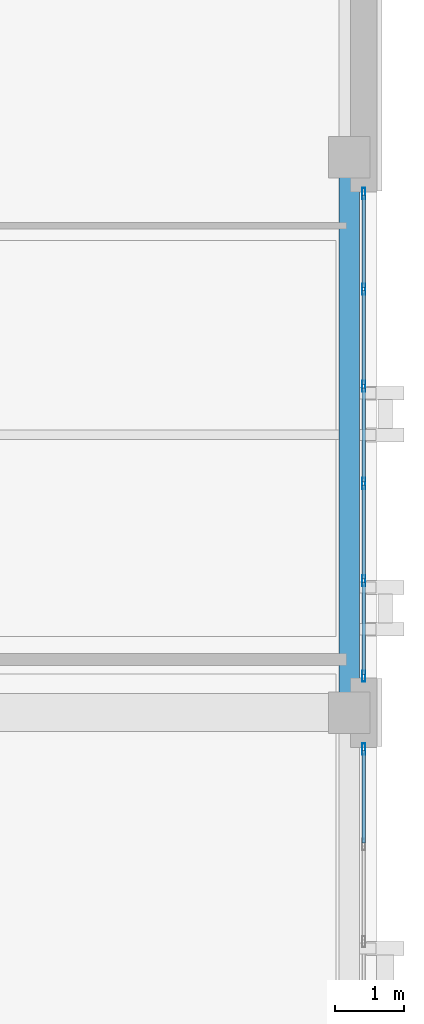
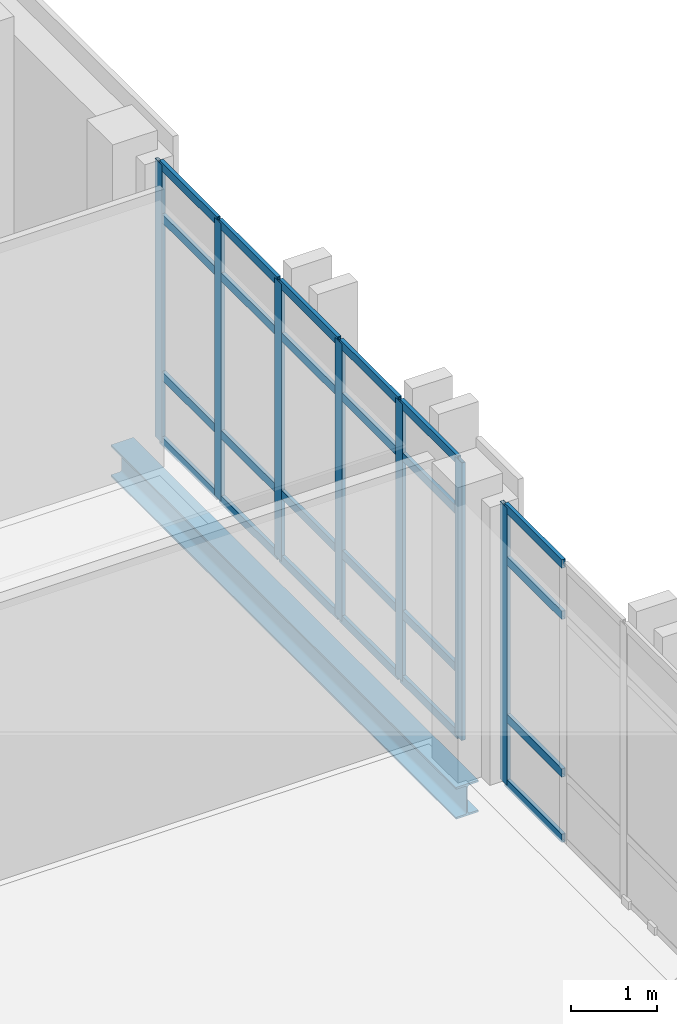
# One storey, part 26 of 90: 31 members, 1 beam, 2 elements without a shape of their own.
"""IFC4 building model written with IfcOpenShell, lengths in metres."""

from ifc_helpers import new_model, si_unit, direction, frame, origin, origin_2d, place, context, subcontext, project, spatial, hollow_rectangle, i_section, extrude, material, layer, layer_set, material_profile, profile_set, type_object, element, aggregate, save


model = new_model("IFC4")

# Units and contexts
model_context = context("Model", 3, precision=1e-05, world=origin(), true_north=direction((0.0, 1.0)))
body_context = subcontext(model_context, "Body", "Model", "MODEL_VIEW")
ifc_project = project(units=[si_unit("LENGTHUNIT", "METRE"), si_unit("AREAUNIT", "SQUARE_METRE"), si_unit("VOLUMEUNIT", "CUBIC_METRE"), si_unit("PLANEANGLEUNIT", "RADIAN"), si_unit("MASSUNIT", "GRAM", prefix="KILO")], contexts=[model_context])

# Site, building, storey
site_placement = place(None, origin())
site = spatial("IfcSite", under=ifc_project, at=site_placement, CompositionType="ELEMENT")
building_placement = place(site_placement, origin())
building = spatial("IfcBuilding", under=site, at=building_placement, Name="Qalavern Law Courts", CompositionType="ELEMENT")
storey_placement = place(building_placement, frame((0.0, 0.0, 22.800048828125)))
storey = spatial("IfcBuildingStorey", under=building, at=storey_placement, Name="L05", CompositionType="ELEMENT", Elevation=22.800048828125)

# Curtain wall, member
ifc_material_1 = material(Name="Anodised aluminium and insulated glazing", Category="aluminium")
ifc_layer = layer(ifc_material_1, 0.159912109375)
ifc_layer_set = layer_set([ifc_layer], Name="Anodised aluminium and insulated glazing")
curtain_wall_type = type_object("IfcCurtainWallType", Name="ENV-CW-CHAMB", PredefinedType="USERDEFINED", material=ifc_layer_set)
curtain_wall_1_placement = place(storey_placement, origin())
curtain_wall_1 = element("IfcCurtainWall", 1, at=curtain_wall_1_placement, inside=storey, type_object=curtain_wall_type, Name="V4 unitised curtain wall L05 east 2", ObjectType="UNITISED CURTAIN WALL", PredefinedType="USERDEFINED")
ifc_material_2 = material(Name="Anodised aluminium", Category="aluminium")
ifc_material_profile_1 = material_profile(ifc_material_2, hollow_rectangle(XDim=0.048095703125, YDim=0.159912109375, WallThickness=0.00390625, at=origin_2d()), Name="ALU MULLION 48x160")
ifc_profile_set_1 = profile_set([ifc_material_profile_1], Name="Anodised aluminium")
member_type_1 = type_object("IfcMemberType", Name="ENV-CWM-48x160", PredefinedType="MULLION", material=ifc_profile_set_1)
member_1_placement = place(storey_placement, frame((106.607421875, 56.8759765625, 0.0), z_axis=(0.0, 0.0, 1.0), x_axis=(-1.0, 0.0, 0.0)))
member_1 = element("IfcMember", 2, at=member_1_placement, type_object=member_type_1, Name="CW-04 mullion 6", PredefinedType="MULLION", context=body_context, shape_type="SweptSolid", body=[
    extrude(hollow_rectangle(XDim=0.048095703125, YDim=0.159912109375, WallThickness=0.00390625, at=origin_2d()), origin(), (0.0, 0.0, 1.0), 3.929931640625),
])

# Curtain wall, members
curtain_wall_2_placement = place(storey_placement, origin())
curtain_wall_2 = element("IfcCurtainWall", 3, at=curtain_wall_2_placement, inside=storey, type_object=curtain_wall_type, Name="V4 unitised curtain wall L05 east 3", ObjectType="UNITISED CURTAIN WALL", PredefinedType="USERDEFINED")
member_2_placement = place(storey_placement, frame((106.607421875, 57.924072265625, 0.0), z_axis=(0.0, 0.0, 1.0), x_axis=(-1.0, 0.0, 0.0)))
member_2 = element("IfcMember", 4, at=member_2_placement, type_object=member_type_1, Name="CW-04 mullion 1", PredefinedType="MULLION", context=body_context, shape_type="SweptSolid", body=[
    extrude(hollow_rectangle(XDim=0.048095703125, YDim=0.159912109375, WallThickness=0.00390625, at=origin_2d()), origin(), (0.0, 0.0, 1.0), 3.929931640625),
])
member_3_placement = place(storey_placement, frame((106.607421875, 59.300048828125, 0.0), z_axis=(0.0, 0.0, 1.0), x_axis=(-1.0, 0.0, 0.0)))
member_3 = element("IfcMember", 5, at=member_3_placement, type_object=member_type_1, Name="CW-04 mullion 2", PredefinedType="MULLION", context=body_context, shape_type="SweptSolid", body=[
    extrude(hollow_rectangle(XDim=0.048095703125, YDim=0.159912109375, WallThickness=0.00390625, at=origin_2d()), origin(), (0.0, 0.0, 1.0), 3.929931640625),
])
member_4_placement = place(storey_placement, frame((106.607421875, 60.699951171875, 0.0), z_axis=(0.0, 0.0, 1.0), x_axis=(-1.0, 0.0, 0.0)))
member_4 = element("IfcMember", 6, at=member_4_placement, type_object=member_type_1, Name="CW-04 mullion 3", PredefinedType="MULLION", context=body_context, shape_type="SweptSolid", body=[
    extrude(hollow_rectangle(XDim=0.048095703125, YDim=0.159912109375, WallThickness=0.00390625, at=origin_2d()), origin(), (0.0, 0.0, 1.0), 3.929931640625),
])
member_5_placement = place(storey_placement, frame((106.607421875, 62.10009765625, 0.0), z_axis=(0.0, 0.0, 1.0), x_axis=(-1.0, 0.0, 0.0)))
member_5 = element("IfcMember", 7, at=member_5_placement, type_object=member_type_1, Name="CW-04 mullion 4", PredefinedType="MULLION", context=body_context, shape_type="SweptSolid", body=[
    extrude(hollow_rectangle(XDim=0.048095703125, YDim=0.159912109375, WallThickness=0.00390625, at=origin_2d()), origin(), (0.0, 0.0, 1.0), 3.929931640625),
])
member_6_placement = place(storey_placement, frame((106.607421875, 63.5, 0.0), z_axis=(0.0, 0.0, 1.0), x_axis=(-1.0, 0.0, 0.0)))
member_6 = element("IfcMember", 8, at=member_6_placement, type_object=member_type_1, Name="CW-04 mullion 5", PredefinedType="MULLION", context=body_context, shape_type="SweptSolid", body=[
    extrude(hollow_rectangle(XDim=0.048095703125, YDim=0.159912109375, WallThickness=0.00390625, at=origin_2d()), origin(), (0.0, 0.0, 1.0), 3.929931640625),
])
member_7_placement = place(storey_placement, frame((106.607421875, 64.8759765625, 0.0), z_axis=(0.0, 0.0, 1.0), x_axis=(-1.0, 0.0, 0.0)))
member_7 = element("IfcMember", 9, at=member_7_placement, type_object=member_type_1, Name="CW-04 mullion 6", PredefinedType="MULLION", context=body_context, shape_type="SweptSolid", body=[
    extrude(hollow_rectangle(XDim=0.048095703125, YDim=0.159912109375, WallThickness=0.00390625, at=origin_2d()), origin(), (0.0, 0.0, 1.0), 3.929931640625),
])

# Member
ifc_material_profile_2 = material_profile(ifc_material_2, hollow_rectangle(XDim=0.048095703125, YDim=0.1201171875, WallThickness=0.00390625, at=origin_2d()), Name="ALU TRANSOM 48x120")
ifc_profile_set_2 = profile_set([ifc_material_profile_2], Name="Anodised aluminium")
member_type_2 = type_object("IfcMemberType", Name="ENV-CWT-48x120", PredefinedType="USERDEFINED", material=ifc_profile_set_2)
member_8_placement = place(storey_placement, frame((106.607421875, 55.52392578125, 0.02392578125), z_axis=(0.0, 1.0, 0.0), x_axis=(-1.0, 0.0, 0.0)))
member_8 = element("IfcMember", 10, at=member_8_placement, type_object=member_type_2, Name="CW-04 transom 5.1", ObjectType="TRANSOM", PredefinedType="USERDEFINED", context=body_context, shape_type="SweptSolid", body=[
    extrude(hollow_rectangle(XDim=0.048095703125, YDim=0.1201171875, WallThickness=0.00390625, at=origin_2d()), origin(), (0.0, 0.0, 1.0), 1.328125),
])

member_9_placement = place(storey_placement, frame((106.607421875, 55.52392578125, 0.949951171875), z_axis=(0.0, 1.0, 0.0), x_axis=(-1.0, 0.0, 0.0)))
member_9 = element("IfcMember", 11, at=member_9_placement, type_object=member_type_2, Name="CW-04 transom 5.2", ObjectType="TRANSOM", PredefinedType="USERDEFINED", context=body_context, shape_type="SweptSolid", body=[
    extrude(hollow_rectangle(XDim=0.048095703125, YDim=0.1201171875, WallThickness=0.00390625, at=origin_2d()), origin(), (0.0, 0.0, 1.0), 1.328125),
])

member_10_placement = place(storey_placement, frame((106.607421875, 55.52392578125, 3.179931640625), z_axis=(0.0, 1.0, 0.0), x_axis=(-1.0, 0.0, 0.0)))
member_10 = element("IfcMember", 12, at=member_10_placement, type_object=member_type_2, Name="CW-04 transom 5.3", ObjectType="TRANSOM", PredefinedType="USERDEFINED", context=body_context, shape_type="SweptSolid", body=[
    extrude(hollow_rectangle(XDim=0.048095703125, YDim=0.1201171875, WallThickness=0.00390625, at=origin_2d()), origin(), (0.0, 0.0, 1.0), 1.328125),
])

member_11_placement = place(storey_placement, frame((106.607421875, 55.52392578125, 3.906005859375), z_axis=(0.0, 1.0, 0.0), x_axis=(-1.0, 0.0, 0.0)))
member_11 = element("IfcMember", 13, at=member_11_placement, type_object=member_type_2, Name="CW-04 transom 5.4", ObjectType="TRANSOM", PredefinedType="USERDEFINED", context=body_context, shape_type="SweptSolid", body=[
    extrude(hollow_rectangle(XDim=0.048095703125, YDim=0.1201171875, WallThickness=0.00390625, at=origin_2d()), origin(), (0.0, 0.0, 1.0), 1.328125),
])

aggregate(curtain_wall_1, [member_1, member_8, member_9, member_10, member_11])

member_12_placement = place(storey_placement, frame((106.607421875, 57.947998046875, 0.02392578125), z_axis=(0.0, 1.0, 0.0), x_axis=(-1.0, 0.0, 0.0)))
member_12 = element("IfcMember", 14, at=member_12_placement, type_object=member_type_2, Name="CW-04 transom 1.1", ObjectType="TRANSOM", PredefinedType="USERDEFINED", context=body_context, shape_type="SweptSolid", body=[
    extrude(hollow_rectangle(XDim=0.048095703125, YDim=0.1201171875, WallThickness=0.00390625, at=origin_2d()), origin(), (0.0, 0.0, 1.0), 1.327880859375),
])

member_13_placement = place(storey_placement, frame((106.607421875, 57.947998046875, 0.949951171875), z_axis=(0.0, 1.0, 0.0), x_axis=(-1.0, 0.0, 0.0)))
member_13 = element("IfcMember", 15, at=member_13_placement, type_object=member_type_2, Name="CW-04 transom 1.2", ObjectType="TRANSOM", PredefinedType="USERDEFINED", context=body_context, shape_type="SweptSolid", body=[
    extrude(hollow_rectangle(XDim=0.048095703125, YDim=0.1201171875, WallThickness=0.00390625, at=origin_2d()), origin(), (0.0, 0.0, 1.0), 1.327880859375),
])

member_14_placement = place(storey_placement, frame((106.607421875, 57.947998046875, 3.179931640625), z_axis=(0.0, 1.0, 0.0), x_axis=(-1.0, 0.0, 0.0)))
member_14 = element("IfcMember", 16, at=member_14_placement, type_object=member_type_2, Name="CW-04 transom 1.3", ObjectType="TRANSOM", PredefinedType="USERDEFINED", context=body_context, shape_type="SweptSolid", body=[
    extrude(hollow_rectangle(XDim=0.048095703125, YDim=0.1201171875, WallThickness=0.00390625, at=origin_2d()), origin(), (0.0, 0.0, 1.0), 1.327880859375),
])

member_15_placement = place(storey_placement, frame((106.607421875, 57.947998046875, 3.906005859375), z_axis=(0.0, 1.0, 0.0), x_axis=(-1.0, 0.0, 0.0)))
member_15 = element("IfcMember", 17, at=member_15_placement, type_object=member_type_2, Name="CW-04 transom 1.4", ObjectType="TRANSOM", PredefinedType="USERDEFINED", context=body_context, shape_type="SweptSolid", body=[
    extrude(hollow_rectangle(XDim=0.048095703125, YDim=0.1201171875, WallThickness=0.00390625, at=origin_2d()), origin(), (0.0, 0.0, 1.0), 1.327880859375),
])

member_16_placement = place(storey_placement, frame((106.607421875, 59.323974609375, 0.02392578125), z_axis=(0.0, 1.0, 0.0), x_axis=(-1.0, 0.0, 0.0)))
member_16 = element("IfcMember", 18, at=member_16_placement, type_object=member_type_2, Name="CW-04 transom 2.1", ObjectType="TRANSOM", PredefinedType="USERDEFINED", context=body_context, shape_type="SweptSolid", body=[
    extrude(hollow_rectangle(XDim=0.048095703125, YDim=0.1201171875, WallThickness=0.00390625, at=origin_2d()), origin(), (0.0, 0.0, 1.0), 1.35205078125),
])

member_17_placement = place(storey_placement, frame((106.607421875, 59.323974609375, 0.949951171875), z_axis=(0.0, 1.0, 0.0), x_axis=(-1.0, 0.0, 0.0)))
member_17 = element("IfcMember", 19, at=member_17_placement, type_object=member_type_2, Name="CW-04 transom 2.2", ObjectType="TRANSOM", PredefinedType="USERDEFINED", context=body_context, shape_type="SweptSolid", body=[
    extrude(hollow_rectangle(XDim=0.048095703125, YDim=0.1201171875, WallThickness=0.00390625, at=origin_2d()), origin(), (0.0, 0.0, 1.0), 1.35205078125),
])

member_18_placement = place(storey_placement, frame((106.607421875, 59.323974609375, 3.179931640625), z_axis=(0.0, 1.0, 0.0), x_axis=(-1.0, 0.0, 0.0)))
member_18 = element("IfcMember", 20, at=member_18_placement, type_object=member_type_2, Name="CW-04 transom 2.3", ObjectType="TRANSOM", PredefinedType="USERDEFINED", context=body_context, shape_type="SweptSolid", body=[
    extrude(hollow_rectangle(XDim=0.048095703125, YDim=0.1201171875, WallThickness=0.00390625, at=origin_2d()), origin(), (0.0, 0.0, 1.0), 1.35205078125),
])

member_19_placement = place(storey_placement, frame((106.607421875, 59.323974609375, 3.906005859375), z_axis=(0.0, 1.0, 0.0), x_axis=(-1.0, 0.0, 0.0)))
member_19 = element("IfcMember", 21, at=member_19_placement, type_object=member_type_2, Name="CW-04 transom 2.4", ObjectType="TRANSOM", PredefinedType="USERDEFINED", context=body_context, shape_type="SweptSolid", body=[
    extrude(hollow_rectangle(XDim=0.048095703125, YDim=0.1201171875, WallThickness=0.00390625, at=origin_2d()), origin(), (0.0, 0.0, 1.0), 1.35205078125),
])

member_20_placement = place(storey_placement, frame((106.607421875, 60.72412109375, 0.02392578125), z_axis=(0.0, 1.0, 0.0), x_axis=(-1.0, 0.0, 0.0)))
member_20 = element("IfcMember", 22, at=member_20_placement, type_object=member_type_2, Name="CW-04 transom 3.1", ObjectType="TRANSOM", PredefinedType="USERDEFINED", context=body_context, shape_type="SweptSolid", body=[
    extrude(hollow_rectangle(XDim=0.048095703125, YDim=0.1201171875, WallThickness=0.00390625, at=origin_2d()), origin(), (0.0, 0.0, 1.0), 1.351806640625),
])

member_21_placement = place(storey_placement, frame((106.607421875, 60.72412109375, 0.949951171875), z_axis=(0.0, 1.0, 0.0), x_axis=(-1.0, 0.0, 0.0)))
member_21 = element("IfcMember", 23, at=member_21_placement, type_object=member_type_2, Name="CW-04 transom 3.2", ObjectType="TRANSOM", PredefinedType="USERDEFINED", context=body_context, shape_type="SweptSolid", body=[
    extrude(hollow_rectangle(XDim=0.048095703125, YDim=0.1201171875, WallThickness=0.00390625, at=origin_2d()), origin(), (0.0, 0.0, 1.0), 1.351806640625),
])

member_22_placement = place(storey_placement, frame((106.607421875, 60.72412109375, 3.179931640625), z_axis=(0.0, 1.0, 0.0), x_axis=(-1.0, 0.0, 0.0)))
member_22 = element("IfcMember", 24, at=member_22_placement, type_object=member_type_2, Name="CW-04 transom 3.3", ObjectType="TRANSOM", PredefinedType="USERDEFINED", context=body_context, shape_type="SweptSolid", body=[
    extrude(hollow_rectangle(XDim=0.048095703125, YDim=0.1201171875, WallThickness=0.00390625, at=origin_2d()), origin(), (0.0, 0.0, 1.0), 1.351806640625),
])

member_23_placement = place(storey_placement, frame((106.607421875, 60.72412109375, 3.906005859375), z_axis=(0.0, 1.0, 0.0), x_axis=(-1.0, 0.0, 0.0)))
member_23 = element("IfcMember", 25, at=member_23_placement, type_object=member_type_2, Name="CW-04 transom 3.4", ObjectType="TRANSOM", PredefinedType="USERDEFINED", context=body_context, shape_type="SweptSolid", body=[
    extrude(hollow_rectangle(XDim=0.048095703125, YDim=0.1201171875, WallThickness=0.00390625, at=origin_2d()), origin(), (0.0, 0.0, 1.0), 1.351806640625),
])

member_24_placement = place(storey_placement, frame((106.607421875, 62.1240234375, 0.02392578125), z_axis=(0.0, 1.0, 0.0), x_axis=(-1.0, 0.0, 0.0)))
member_24 = element("IfcMember", 26, at=member_24_placement, type_object=member_type_2, Name="CW-04 transom 4.1", ObjectType="TRANSOM", PredefinedType="USERDEFINED", context=body_context, shape_type="SweptSolid", body=[
    extrude(hollow_rectangle(XDim=0.048095703125, YDim=0.1201171875, WallThickness=0.00390625, at=origin_2d()), origin(), (0.0, 0.0, 1.0), 1.35205078125),
])

member_25_placement = place(storey_placement, frame((106.607421875, 62.1240234375, 0.949951171875), z_axis=(0.0, 1.0, 0.0), x_axis=(-1.0, 0.0, 0.0)))
member_25 = element("IfcMember", 27, at=member_25_placement, type_object=member_type_2, Name="CW-04 transom 4.2", ObjectType="TRANSOM", PredefinedType="USERDEFINED", context=body_context, shape_type="SweptSolid", body=[
    extrude(hollow_rectangle(XDim=0.048095703125, YDim=0.1201171875, WallThickness=0.00390625, at=origin_2d()), origin(), (0.0, 0.0, 1.0), 1.35205078125),
])

member_26_placement = place(storey_placement, frame((106.607421875, 62.1240234375, 3.179931640625), z_axis=(0.0, 1.0, 0.0), x_axis=(-1.0, 0.0, 0.0)))
member_26 = element("IfcMember", 28, at=member_26_placement, type_object=member_type_2, Name="CW-04 transom 4.3", ObjectType="TRANSOM", PredefinedType="USERDEFINED", context=body_context, shape_type="SweptSolid", body=[
    extrude(hollow_rectangle(XDim=0.048095703125, YDim=0.1201171875, WallThickness=0.00390625, at=origin_2d()), origin(), (0.0, 0.0, 1.0), 1.35205078125),
])

member_27_placement = place(storey_placement, frame((106.607421875, 62.1240234375, 3.906005859375), z_axis=(0.0, 1.0, 0.0), x_axis=(-1.0, 0.0, 0.0)))
member_27 = element("IfcMember", 29, at=member_27_placement, type_object=member_type_2, Name="CW-04 transom 4.4", ObjectType="TRANSOM", PredefinedType="USERDEFINED", context=body_context, shape_type="SweptSolid", body=[
    extrude(hollow_rectangle(XDim=0.048095703125, YDim=0.1201171875, WallThickness=0.00390625, at=origin_2d()), origin(), (0.0, 0.0, 1.0), 1.35205078125),
])

member_28_placement = place(storey_placement, frame((106.607421875, 63.52392578125, 0.02392578125), z_axis=(0.0, 1.0, 0.0), x_axis=(-1.0, 0.0, 0.0)))
member_28 = element("IfcMember", 30, at=member_28_placement, type_object=member_type_2, Name="CW-04 transom 5.1", ObjectType="TRANSOM", PredefinedType="USERDEFINED", context=body_context, shape_type="SweptSolid", body=[
    extrude(hollow_rectangle(XDim=0.048095703125, YDim=0.1201171875, WallThickness=0.00390625, at=origin_2d()), origin(), (0.0, 0.0, 1.0), 1.328125),
])

member_29_placement = place(storey_placement, frame((106.607421875, 63.52392578125, 0.949951171875), z_axis=(0.0, 1.0, 0.0), x_axis=(-1.0, 0.0, 0.0)))
member_29 = element("IfcMember", 31, at=member_29_placement, type_object=member_type_2, Name="CW-04 transom 5.2", ObjectType="TRANSOM", PredefinedType="USERDEFINED", context=body_context, shape_type="SweptSolid", body=[
    extrude(hollow_rectangle(XDim=0.048095703125, YDim=0.1201171875, WallThickness=0.00390625, at=origin_2d()), origin(), (0.0, 0.0, 1.0), 1.328125),
])

member_30_placement = place(storey_placement, frame((106.607421875, 63.52392578125, 3.179931640625), z_axis=(0.0, 1.0, 0.0), x_axis=(-1.0, 0.0, 0.0)))
member_30 = element("IfcMember", 32, at=member_30_placement, type_object=member_type_2, Name="CW-04 transom 5.3", ObjectType="TRANSOM", PredefinedType="USERDEFINED", context=body_context, shape_type="SweptSolid", body=[
    extrude(hollow_rectangle(XDim=0.048095703125, YDim=0.1201171875, WallThickness=0.00390625, at=origin_2d()), origin(), (0.0, 0.0, 1.0), 1.328125),
])

member_31_placement = place(storey_placement, frame((106.607421875, 63.52392578125, 3.906005859375), z_axis=(0.0, 1.0, 0.0), x_axis=(-1.0, 0.0, 0.0)))
member_31 = element("IfcMember", 33, at=member_31_placement, type_object=member_type_2, Name="CW-04 transom 5.4", ObjectType="TRANSOM", PredefinedType="USERDEFINED", context=body_context, shape_type="SweptSolid", body=[
    extrude(hollow_rectangle(XDim=0.048095703125, YDim=0.1201171875, WallThickness=0.00390625, at=origin_2d()), origin(), (0.0, 0.0, 1.0), 1.328125),
])

aggregate(curtain_wall_2, [member_2, member_3, member_4, member_5, member_6, member_7, member_12, member_13, member_14, member_15, member_16, member_17, member_18, member_19, member_20, member_21, member_22, member_23, member_24, member_25, member_26, member_27, member_28, member_29, member_30, member_31])

# Beam
ifc_material_3 = material(Name="Steel S355", Category="steel")
ifc_material_profile_3 = material_profile(ifc_material_3, i_section(OverallWidth=0.300048828125, OverallDepth=0.449951171875, WebThickness=0.013916015625, FlangeThickness=0.02587890625, FilletRadius=0.027099609375, at=origin_2d()), Name="HEB 450")
ifc_profile_set_3 = profile_set([ifc_material_profile_3], Name="Steel S355")
beam_type = type_object("IfcBeamType", Name="STR-SP-HEB450", PredefinedType="SPANDREL", material=ifc_profile_set_3)
beam_placement = place(storey_placement, frame((106.39990234375, 57.39990234375, -0.5), z_axis=(0.0, 1.0, 0.0), x_axis=(-1.0, 0.0, 0.0)))
element("IfcBeam", 34, at=beam_placement, inside=storey, type_object=beam_type, Name="V4 Y-beam 3-3 L05", PredefinedType="SPANDREL", context=body_context, shape_type="SweptSolid", body=[
    extrude(i_section(OverallWidth=0.300048828125, OverallDepth=0.449951171875, WebThickness=0.013916015625, FlangeThickness=0.02587890625, FilletRadius=0.027099609375, at=origin_2d()), origin(), (0.0, 0.0, 1.0), 8.0),
])

save(model, "model.ifc")
